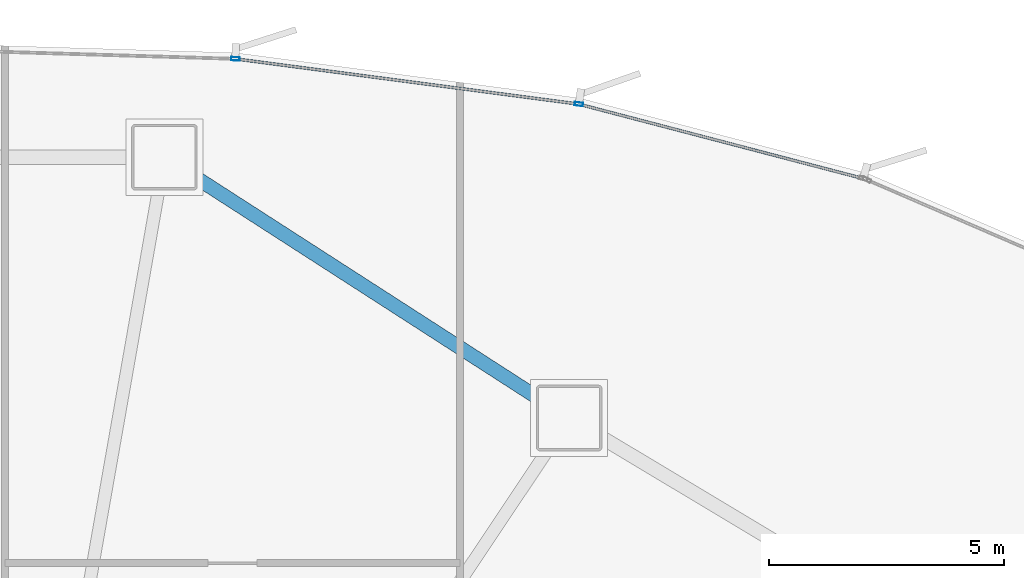
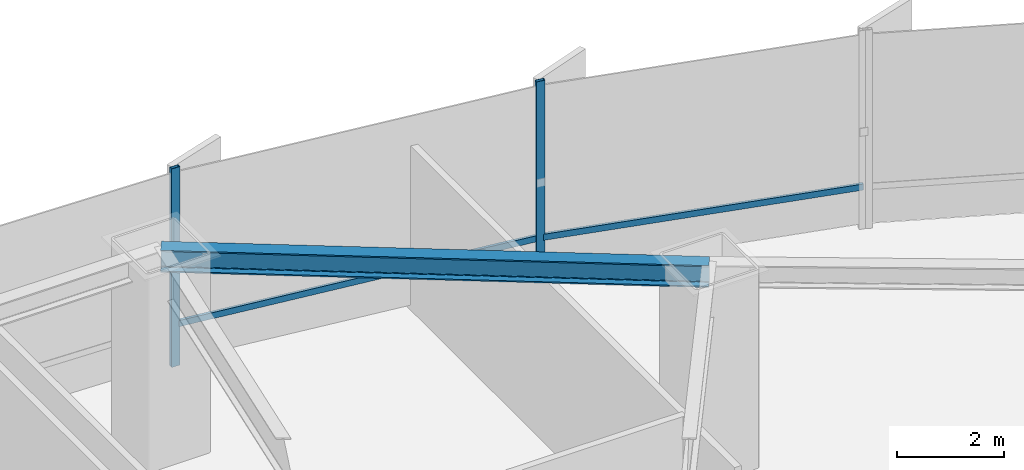
# One storey, part 15 of 34: 4 members, 1 beam, 1 element without a shape of its own.
"""IFC4 building model written with IfcOpenShell, lengths in metres."""

from ifc_helpers import new_model, si_unit, direction, frame, origin, origin_2d, place, context, subcontext, project, spatial, hollow_rectangle, i_section, extrude, source, transform, mapped, material, layer, layer_set, material_profile, profile_set, type_object, element, aggregate, save


model = new_model("IFC4")

# Units and contexts
model_context = context("Model", 3, precision=1e-05, world=origin(), true_north=direction((0.0, 1.0)))
body_context = subcontext(model_context, "Body", "Model", "MODEL_VIEW")
ifc_project = project(units=[si_unit("LENGTHUNIT", "METRE"), si_unit("AREAUNIT", "SQUARE_METRE"), si_unit("VOLUMEUNIT", "CUBIC_METRE"), si_unit("PLANEANGLEUNIT", "RADIAN"), si_unit("MASSUNIT", "GRAM", prefix="KILO"), si_unit("THERMODYNAMICTEMPERATUREUNIT", "KELVIN")], contexts=[model_context])

# Site, building, storey
site_placement = place(None, origin())
site = spatial("IfcSite", under=ifc_project, at=site_placement, CompositionType="ELEMENT")
building_placement = place(site_placement, origin())
building = spatial("IfcBuilding", under=site, at=building_placement, Name="Kethvar Cultural Tower", CompositionType="ELEMENT")
storey_placement = place(building_placement, frame((0.0, 0.0, 14.800048828125)))
storey = spatial("IfcBuildingStorey", under=building, at=storey_placement, Name="L03", CompositionType="ELEMENT", Elevation=14.800048828125)

# Beam
ifc_material_1 = material(Name="Steel S355J2", Category="steel")
ifc_material_profile_1 = material_profile(ifc_material_1, i_section(OverallWidth=0.300048828125, OverallDepth=0.5, WebThickness=0.014404296875, FlangeThickness=0.028076171875, FilletRadius=0.027099609375, at=origin_2d()), Name="Steel S355J2 — HEB500")
ifc_profile_set_1 = profile_set([ifc_material_profile_1], Name="Steel S355J2 — HEB500")
beam_type = type_object("IfcBeamType", Name="BM-SP500", PredefinedType="SPANDREL", material=ifc_profile_set_1)
shared_shape_1 = source(origin(), body_context, "Body", "SweptSolid", [
    extrude(i_section(OverallWidth=0.300048828125, OverallDepth=0.5, WebThickness=0.014404296875, FlangeThickness=0.028076171875, FilletRadius=0.027099609375, at=origin_2d()), origin(), (0.0, 0.0, 1.0), 10.260009765625),
])
beam_placement = place(storey_placement, frame((59.824951171875, 47.293212890625, 4.27783203125), z_axis=(-0.840635315951, 0.541601574569, 0.0), x_axis=(-0.541601574569, -0.840635315951, 0.0)))
element("IfcBeam", 1, at=beam_placement, inside=storey, type_object=beam_type, Name="L03 Podium Ring Beam 03", PredefinedType="SPANDREL", context=body_context, shape_type="MappedRepresentation", body=[
    mapped(shared_shape_1, transform((0.0, 0.0, 0.0), scale=1.0)),
])

# Curtain wall, members
ifc_material_2 = material(Name="Aluminium 6063-T6", Category="aluminium")
ifc_layer = layer(ifc_material_2, 0.179931640625, Name="Aluminium 6063-T6", Category="aluminium")
ifc_layer_set = layer_set([ifc_layer], Name="Aluminium 6063-T6 (180 mm)")
curtain_wall_type = type_object("IfcCurtainWallType", Name="CW-SYS-01-POD", PredefinedType="NOTDEFINED", material=ifc_layer_set)
curtain_wall_placement = place(storey_placement, origin())
curtain_wall = element("IfcCurtainWall", 2, at=curtain_wall_placement, inside=storey, type_object=curtain_wall_type, Name="L03 Curtain Wall Run 02", PredefinedType="NOTDEFINED")
ifc_material_profile_2 = material_profile(ifc_material_2, hollow_rectangle(XDim=0.06005859375, YDim=0.139892578125, WallThickness=0.0048828125, at=origin_2d()), Name="Aluminium 6063-T6 — RHS140x60x5")
ifc_profile_set_2 = profile_set([ifc_material_profile_2], Name="Aluminium 6063-T6 — RHS140x60x5")
member_type_1 = type_object("IfcMemberType", Name="CW-SYS-01-POD-TRN", PredefinedType="USERDEFINED", material=ifc_profile_set_2)
shared_shape_2 = source(origin(), body_context, "Body", "SweptSolid", [
    extrude(hollow_rectangle(XDim=0.06005859375, YDim=0.139892578125, WallThickness=0.0048828125, at=origin_2d()), origin(), (0.0, 0.0, 1.0), 7.28955078125),
])
member_1_placement = place(storey_placement, frame((59.9794921875, 53.98876953125, 0.949951171875), z_axis=(-0.9914326226, 0.13061912128, 0.0), x_axis=(-0.13061912128, -0.9914326226, 0.0)))
member_1 = element("IfcMember", 3, at=member_1_placement, type_object=member_type_1, Name="CW-L03-R02 Transom 2", ObjectType="TRANSOM", PredefinedType="USERDEFINED", context=body_context, shape_type="MappedRepresentation", body=[
    mapped(shared_shape_2, transform((0.0, 0.0, 0.0), scale=1.0)),
])
shared_shape_3 = source(origin(), body_context, "Body", "SweptSolid", [
    extrude(hollow_rectangle(XDim=0.06005859375, YDim=0.139892578125, WallThickness=0.0048828125, at=origin_2d()), origin(), (0.0, 0.0, 1.0), 6.221435546875),
])
member_2_placement = place(storey_placement, frame((66.088134765625, 52.39697265625, 0.949951171875), z_axis=(-0.967458727109, 0.253028874519, 0.0), x_axis=(-0.253028874519, -0.967458727109, 0.0)))
member_2 = element("IfcMember", 4, at=member_2_placement, type_object=member_type_1, Name="CW-L03-R02 Transom 1", ObjectType="TRANSOM", PredefinedType="USERDEFINED", context=body_context, shape_type="MappedRepresentation", body=[
    mapped(shared_shape_3, transform((0.0, 0.0, 0.0), scale=1.0)),
])
ifc_material_profile_3 = material_profile(ifc_material_2, hollow_rectangle(XDim=0.074951171875, YDim=0.179931640625, WallThickness=0.006103515625, at=origin_2d()), Name="Aluminium 6063-T6 — RHS180x75x6")
ifc_profile_set_3 = profile_set([ifc_material_profile_3], Name="Aluminium 6063-T6 — RHS180x75x6")
member_type_2 = type_object("IfcMemberType", Name="CW-SYS-01-POD-MUL", PredefinedType="MULLION", material=ifc_profile_set_3)
shared_shape_4 = source(origin(), body_context, "Body", "SweptSolid", [
    extrude(hollow_rectangle(XDim=0.074951171875, YDim=0.179931640625, WallThickness=0.006103515625, at=origin_2d()), origin(), (0.0, 0.0, 1.0), 4.530029296875),
])
member_3_placement = place(storey_placement, frame((60.032958984375, 53.981689453125, 0.0), z_axis=(0.0, 0.0, 1.0), x_axis=(-0.130647319086, -0.991428907192, 0.0)))
member_3 = element("IfcMember", 5, at=member_3_placement, type_object=member_type_2, Name="CW-L03-R02 Mullion 2", PredefinedType="MULLION", context=body_context, shape_type="MappedRepresentation", body=[
    mapped(shared_shape_4, transform((0.0, 0.0, 0.0), scale=1.0)),
])
member_4_placement = place(storey_placement, frame((52.7119140625, 54.947021484375, 0.0), z_axis=(0.0, 0.0, 1.0), x_axis=(-0.030137272261, -0.999545769248, 0.0)))
member_4 = element("IfcMember", 6, at=member_4_placement, type_object=member_type_2, Name="CW-L03-R02 Mullion 3", PredefinedType="MULLION", context=body_context, shape_type="MappedRepresentation", body=[
    mapped(shared_shape_4, transform((0.0, 0.0, 0.0), scale=1.0)),
])
aggregate(curtain_wall, [member_3, member_4, member_2, member_1])

save(model, "model.ifc")
